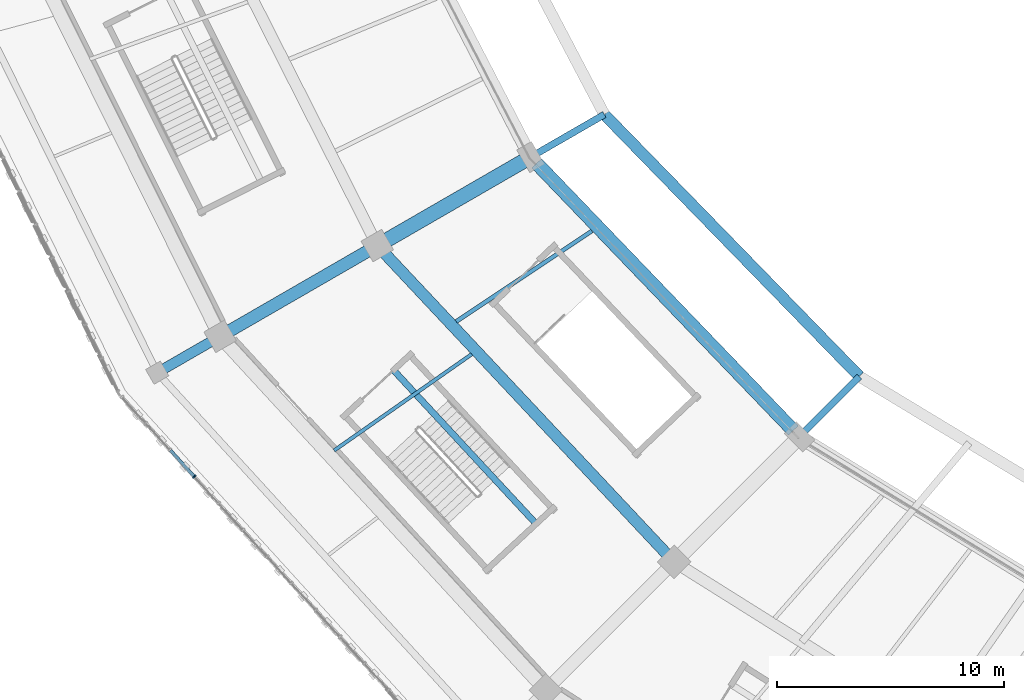
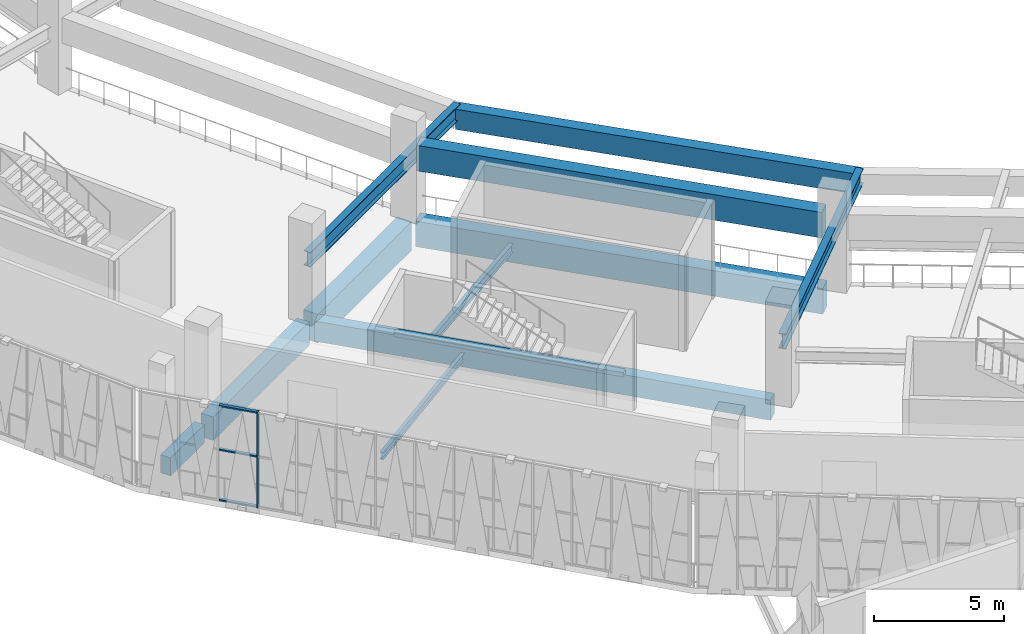
# One storey, part 12 of 179: 12 beams, 4 members, 1 element without a shape of its own.
"""IFC4 building model written with IfcOpenShell, lengths in metres."""

from ifc_helpers import new_model, si_unit, direction, frame, origin, origin_2d, place, context, subcontext, project, spatial, rectangle, i_section, extrude, material, material_profile, profile_set, type_object, element, aggregate, save


model = new_model("IFC4")

# Units and contexts
model_context = context("Model", 3, precision=1e-05, world=origin(), true_north=direction((0.0, 1.0)))
body_context = subcontext(model_context, "Body", "Model", "MODEL_VIEW")
ifc_project = project(units=[si_unit("LENGTHUNIT", "METRE"), si_unit("AREAUNIT", "SQUARE_METRE"), si_unit("VOLUMEUNIT", "CUBIC_METRE"), si_unit("PLANEANGLEUNIT", "RADIAN"), si_unit("MASSUNIT", "GRAM", prefix="KILO")], contexts=[model_context])

# Site, building, storey
site_placement = place(None, origin())
site = spatial("IfcSite", under=ifc_project, at=site_placement, CompositionType="ELEMENT")
building_placement = place(site_placement, origin())
building = spatial("IfcBuilding", under=site, at=building_placement, Name="Zevraka Park Crest Stadium", CompositionType="ELEMENT")
storey_placement = place(building_placement, frame((0.0, 0.0, 10.199951171875)))
storey = spatial("IfcBuildingStorey", under=building, at=storey_placement, Name="L02", CompositionType="ELEMENT", Elevation=10.199951171875)

# Beams
ifc_material_1 = material(Name="Concrete C40/50", Category="concrete")
ifc_material_profile_1 = material_profile(ifc_material_1, rectangle(XDim=0.64990234375, YDim=1.35009765625, at=origin_2d()), Name="RC 1350x650")
ifc_profile_set_1 = profile_set([ifc_material_profile_1], Name="Concrete C40/50")
beam_type_1 = type_object("IfcBeamType", Name="BG01", PredefinedType="BEAM", material=ifc_profile_set_1)
beam_1_placement = place(storey_placement, frame((47.220947265625, 62.10009765625, -0.68505859375), z_axis=(-0.866001485781, -0.500041424909, 0.0), x_axis=(0.500041424909, -0.866001485781, 0.0)))
element("IfcBeam", 1, at=beam_1_placement, inside=storey, type_object=beam_type_1, Name="Radial Girder BG01 L02-BC-14", PredefinedType="BEAM", context=body_context, shape_type="SweptSolid", body=[
    extrude(rectangle(XDim=0.64990234375, YDim=1.35009765625, at=origin_2d()), origin(), (0.0, 0.0, 1.0), 7.19970703125),
])
ifc_material_2 = material(Name="Concrete C40/50", Category="concrete")
ifc_material_profile_2 = material_profile(ifc_material_2, rectangle(XDim=0.550048828125, YDim=1.10009765625, at=origin_2d()), Name="RC 1100x550")
ifc_profile_set_2 = profile_set([ifc_material_profile_2], Name="Concrete C40/50")
beam_type_2 = type_object("IfcBeamType", Name="BG02", PredefinedType="BEAM", material=ifc_profile_set_2)
beam_2_placement = place(storey_placement, frame((40.466064453125, 58.199951171875, -0.56005859375), z_axis=(-0.86600700885, -0.500031859608, 0.0), x_axis=(0.500031859608, -0.86600700885, 0.0)))
element("IfcBeam", 2, at=beam_2_placement, inside=storey, type_object=beam_type_2, Name="Radial Girder BG02 L02-CD-14", PredefinedType="BEAM", context=body_context, shape_type="SweptSolid", body=[
    extrude(rectangle(XDim=0.550048828125, YDim=1.10009765625, at=origin_2d()), origin(), (0.0, 0.0, 1.0), 7.3994140625),
])
ifc_material_3 = material(Name="Concrete C40/50", Category="concrete")
ifc_material_profile_3 = material_profile(ifc_material_3, rectangle(XDim=0.449951171875, YDim=0.85009765625, at=origin_2d()), Name="RC 850x450")
ifc_profile_set_3 = profile_set([ifc_material_profile_3], Name="Concrete C40/50")
beam_type_3 = type_object("IfcBeamType", Name="BG03", PredefinedType="BEAM", material=ifc_profile_set_3)
beam_3_placement = place(storey_placement, frame((33.5380859375, 54.199951171875, -0.43505859375), z_axis=(-0.865950948929, -0.500128937424, 0.0), x_axis=(0.500128937424, -0.865950948929, 0.0)))
element("IfcBeam", 3, at=beam_3_placement, inside=storey, type_object=beam_type_3, Name="Radial Girder BG03 L02-DE-14", PredefinedType="BEAM", context=body_context, shape_type="SweptSolid", body=[
    extrude(rectangle(XDim=0.449951171875, YDim=0.85009765625, at=origin_2d()), origin(), (0.0, 0.0, 1.0), 2.599365234375),
])
ifc_material_4 = material(Name="Steel S355", Category="steel")
ifc_material_profile_4 = material_profile(ifc_material_4, i_section(OverallWidth=0.300048828125, OverallDepth=0.699951171875, WebThickness=0.01708984375, FlangeThickness=0.031982421875, at=origin_2d()), Name="HEB 700")
ifc_profile_set_4 = profile_set([ifc_material_profile_4], Name="Steel S355")
beam_type_4 = type_object("IfcBeamType", Name="BG06", PredefinedType="BEAM", material=ifc_profile_set_4)
beam_4_placement = place(storey_placement, frame((40.72607421875, 58.35009765625, 2.670166015625), z_axis=(0.866036343161, 0.499981051965, 0.0), x_axis=(-0.499981051965, 0.866036343161, 0.0)))
element("IfcBeam", 4, at=beam_4_placement, inside=storey, type_object=beam_type_4, Name="Upper Tier Back-Spanned Cantilever Girder BG06 14", PredefinedType="BEAM", context=body_context, shape_type="SweptSolid", body=[
    extrude(i_section(OverallWidth=0.300048828125, OverallDepth=0.699951171875, WebThickness=0.01708984375, FlangeThickness=0.031982421875, at=origin_2d()), origin(), (0.0, 0.0, 1.0), 11.55029296875),
])
beam_5_placement = place(storey_placement, frame((53.804931640625, 44.412109375, 2.670166015625), z_axis=(0.707106781187, 0.707106781187, 0.0), x_axis=(-0.707106781187, 0.707106781187, 0.0)))
element("IfcBeam", 5, at=beam_5_placement, inside=storey, type_object=beam_type_4, Name="Upper Tier Back-Spanned Cantilever Girder BG06 15", PredefinedType="BEAM", context=body_context, shape_type="SweptSolid", body=[
    extrude(i_section(OverallWidth=0.300048828125, OverallDepth=0.699951171875, WebThickness=0.01708984375, FlangeThickness=0.031982421875, at=origin_2d()), origin(), (0.0, 0.0, 1.0), 11.5498046875),
])

# Curtain wall, members
ifc_material_5 = material(Name="Anodised architectural aluminium and laminated safety glass", Category="aluminium")
curtain_wall_type = type_object("IfcCurtainWallType", Name="CW08", PredefinedType="NOTDEFINED", material=ifc_material_5)
curtain_wall_placement = place(storey_placement, origin())
curtain_wall = element("IfcCurtainWall", 6, at=curtain_wall_placement, inside=storey, type_object=curtain_wall_type, Name="Unitised Ring Curtain Wall CW08 L02-14", PredefinedType="NOTDEFINED")
ifc_material_6 = material(Name="Anodised architectural aluminium", Category="aluminium")
ifc_material_profile_5 = material_profile(ifc_material_6, rectangle(XDim=0.179931640625, YDim=0.06494140625, at=origin_2d()), Name="ALU MULLION 180x65")
ifc_profile_set_5 = profile_set([ifc_material_profile_5], Name="Anodised architectural aluminium")
member_type_1 = type_object("IfcMemberType", Name="CM02", PredefinedType="MULLION", material=ifc_profile_set_5)
member_1_placement = place(storey_placement, frame((32.65966796875, 48.171875, 0.0), z_axis=(0.0, 0.0, 1.0), x_axis=(0.739496877097, 0.673159987494, 0.0)))
member_1 = element("IfcMember", 7, at=member_1_placement, type_object=member_type_1, Name="CW08 mullion 4", PredefinedType="MULLION", context=body_context, shape_type="SweptSolid", body=[
    extrude(rectangle(XDim=0.179931640625, YDim=0.06494140625, at=origin_2d()), origin(), (0.0, 0.0, 1.0), 4.5),
])
ifc_material_7 = material(Name="Anodised architectural aluminium", Category="aluminium")
ifc_material_profile_6 = material_profile(ifc_material_7, rectangle(XDim=0.139892578125, YDim=0.06494140625, at=origin_2d()), Name="ALU TRANSOM 140x65")
ifc_profile_set_6 = profile_set([ifc_material_profile_6], Name="Anodised architectural aluminium")
member_type_2 = type_object("IfcMemberType", Name="CT02", PredefinedType="USERDEFINED", material=ifc_profile_set_6)
member_2_placement = place(storey_placement, frame((31.611083984375, 49.32373046875, 0.032470703125), z_axis=(0.673198421242, -0.739461889239, 0.0), x_axis=(0.739461889239, 0.673198421242, 0.0)))
member_2 = element("IfcMember", 8, at=member_2_placement, type_object=member_type_2, Name="CW08 transom 3.1", ObjectType="TRANSOM", PredefinedType="USERDEFINED", context=body_context, shape_type="SweptSolid", body=[
    extrude(rectangle(XDim=0.139892578125, YDim=0.06494140625, at=origin_2d()), origin(), (0.0, 0.0, 1.0), 1.525390625),
])
member_3_placement = place(storey_placement, frame((31.611083984375, 49.32373046875, 2.400146484375), z_axis=(0.673198421242, -0.739461889239, 0.0), x_axis=(0.739461889239, 0.673198421242, 0.0)))
member_3 = element("IfcMember", 9, at=member_3_placement, type_object=member_type_2, Name="CW08 transom 3.2", ObjectType="TRANSOM", PredefinedType="USERDEFINED", context=body_context, shape_type="SweptSolid", body=[
    extrude(rectangle(XDim=0.139892578125, YDim=0.06494140625, at=origin_2d()), origin(), (0.0, 0.0, 1.0), 1.525390625),
])
member_4_placement = place(storey_placement, frame((31.611083984375, 49.32373046875, 4.467529296875), z_axis=(0.673198421242, -0.739461889239, 0.0), x_axis=(0.739461889239, 0.673198421242, 0.0)))
member_4 = element("IfcMember", 10, at=member_4_placement, type_object=member_type_2, Name="CW08 transom 3.3", ObjectType="TRANSOM", PredefinedType="USERDEFINED", context=body_context, shape_type="SweptSolid", body=[
    extrude(rectangle(XDim=0.139892578125, YDim=0.06494140625, at=origin_2d()), origin(), (0.0, 0.0, 1.0), 1.525390625),
])
aggregate(curtain_wall, [member_1, member_2, member_3, member_4])

# Beams
ifc_material_8 = material(Name="Concrete C40/50", Category="concrete")
ifc_material_profile_7 = material_profile(ifc_material_8, rectangle(XDim=0.60009765625, YDim=1.199951171875, at=origin_2d()), Name="RC 1200x600")
ifc_profile_set_7 = profile_set([ifc_material_profile_7], Name="Concrete C40/50")
beam_type_5 = type_object("IfcBeamType", Name="RB01", PredefinedType="BEAM", material=ifc_profile_set_7)
beam_6_placement = place(storey_placement, frame((47.743896484375, 61.97607421875, -0.60986328125), z_axis=(0.692852617328, -0.721079226342, 0.0), x_axis=(0.721079226342, 0.692852617328, 0.0)))
element("IfcBeam", 11, at=beam_6_placement, inside=storey, type_object=beam_type_5, Name="Ring Beam RB01 L02-B-14", PredefinedType="BEAM", context=body_context, shape_type="SweptSolid", body=[
    extrude(rectangle(XDim=0.60009765625, YDim=1.199951171875, at=origin_2d()), origin(), (0.0, 0.0, 1.0), 16.329833984375),
])
beam_7_placement = place(storey_placement, frame((47.77197265625, 61.947021484375, 2.965087890625), z_axis=(0.692842332428, -0.721089108499, 0.0), x_axis=(0.721089108499, 0.692842332428, 0.0)))
element("IfcBeam", 12, at=beam_7_placement, inside=storey, type_object=beam_type_5, Name="Upper Tier Fulcrum Raker Ring Beam RB01 14", PredefinedType="BEAM", context=body_context, shape_type="SweptSolid", body=[
    extrude(rectangle(XDim=0.60009765625, YDim=1.199951171875, at=origin_2d()), origin(), (0.0, 0.0, 1.0), 16.2490234375),
])
ifc_material_9 = material(Name="Concrete C40/50", Category="concrete")
ifc_material_profile_8 = material_profile(ifc_material_9, rectangle(XDim=0.5, YDim=0.949951171875, at=origin_2d()), Name="RC 950x500")
ifc_profile_set_8 = profile_set([ifc_material_profile_8], Name="Concrete C40/50")
beam_type_6 = type_object("IfcBeamType", Name="RB02", PredefinedType="BEAM", material=ifc_profile_set_8)
beam_8_placement = place(storey_placement, frame((40.986083984375, 58.072998046875, -0.48486328125), z_axis=(0.684268936493, -0.729229746068, 0.0), x_axis=(0.729229746068, 0.684268936493, 0.0)))
element("IfcBeam", 13, at=beam_8_placement, inside=storey, type_object=beam_type_6, Name="Ring Beam RB02 L02-C-14", PredefinedType="BEAM", context=body_context, shape_type="SweptSolid", body=[
    extrude(rectangle(XDim=0.5, YDim=0.949951171875, at=origin_2d()), origin(), (0.0, 0.0, 1.0), 18.353759765625),
])
beam_9_placement = place(storey_placement, frame((50.736083984375, 64.117919921875, 2.400146484375), z_axis=(0.697632460191, -0.716455825915, 0.0), x_axis=(0.716455825915, 0.697632460191, 0.0)))
element("IfcBeam", 14, at=beam_9_placement, inside=storey, type_object=beam_type_6, Name="Upper Tier Front Nose Ring Beam RB02 14", PredefinedType="BEAM", context=body_context, shape_type="SweptSolid", body=[
    extrude(rectangle(XDim=0.5, YDim=0.949951171875, at=origin_2d()), origin(), (0.0, 0.0, 1.0), 16.095947265625),
])
ifc_material_10 = material(Name="Steel S355", Category="steel")
ifc_material_profile_9 = material_profile(ifc_material_10, i_section(OverallWidth=0.159912109375, OverallDepth=0.330078125, WebThickness=0.007568359375, FlangeThickness=0.011474609375, at=origin_2d()), Name="IPE 330")
ifc_profile_set_9 = profile_set([ifc_material_profile_9], Name="Steel S355")
beam_type_7 = type_object("IfcBeamType", Name="SJ08", PredefinedType="JOIST", material=ifc_profile_set_9)
beam_10_placement = place(storey_placement, frame((44.885009765625, 53.56396484375, -0.452880859375), z_axis=(-0.819262921224, -0.573418055093, 0.0), x_axis=(0.573418055093, -0.819262921224, 0.0)))
element("IfcBeam", 15, at=beam_10_placement, inside=storey, type_object=beam_type_7, Name="Floor Joist SJ08 L02-CD-14-1", PredefinedType="JOIST", context=body_context, shape_type="SweptSolid", body=[
    extrude(i_section(OverallWidth=0.159912109375, OverallDepth=0.330078125, WebThickness=0.007568359375, FlangeThickness=0.011474609375, at=origin_2d()), origin(), (0.0, 0.0, 1.0), 7.3994140625),
])
ifc_material_11 = material(Name="Steel S355", Category="steel")
ifc_material_profile_10 = material_profile(ifc_material_11, i_section(OverallWidth=0.179931640625, OverallDepth=0.39990234375, WebThickness=0.008544921875, FlangeThickness=0.013427734375, at=origin_2d()), Name="IPE 400")
ifc_profile_set_10 = profile_set([ifc_material_profile_10], Name="Steel S355")
beam_type_8 = type_object("IfcBeamType", Name="SJ09", PredefinedType="JOIST", material=ifc_profile_set_10)
beam_11_placement = place(storey_placement, frame((50.178955078125, 58.993896484375, -0.488037109375), z_axis=(-0.831668706104, -0.55527215245, 0.0), x_axis=(0.55527215245, -0.831668706104, 0.0)))
element("IfcBeam", 16, at=beam_11_placement, inside=storey, type_object=beam_type_8, Name="Floor Joist SJ09 L02-BC-14-1", PredefinedType="JOIST", context=body_context, shape_type="SweptSolid", body=[
    extrude(i_section(OverallWidth=0.179931640625, OverallDepth=0.39990234375, WebThickness=0.008544921875, FlangeThickness=0.013427734375, at=origin_2d()), origin(), (0.0, 0.0, 1.0), 7.189208984375),
])
ifc_material_12 = material(Name="Concrete C40/50", Category="concrete")
ifc_material_profile_11 = material_profile(ifc_material_12, rectangle(XDim=0.280029296875, YDim=0.199951171875, at=origin_2d()), Name="RC 200x280")
ifc_profile_set_11 = profile_set([ifc_material_profile_11], Name="Concrete C40/50")
beam_type_9 = type_object("IfcBeamType", Name="SJ13", PredefinedType="JOIST", material=ifc_profile_set_11)
beam_12_placement = place(storey_placement, frame((41.455322265625, 52.8427734375, 2.300048828125), z_axis=(0.680247587728, -0.732982414107, 0.0), x_axis=(0.732982414107, 0.680247587728, 0.0)))
element("IfcBeam", 17, at=beam_12_placement, inside=storey, type_object=beam_type_9, Name="Stair Upper-Flight Longitudinal Stringer SJ13 ST15-L02", PredefinedType="JOIST", context=body_context, shape_type="SweptSolid", body=[
    extrude(rectangle(XDim=0.280029296875, YDim=0.199951171875, at=origin_2d()), origin(), (0.0, 0.0, 1.0), 9.25),
])

save(model, "model.ifc")
